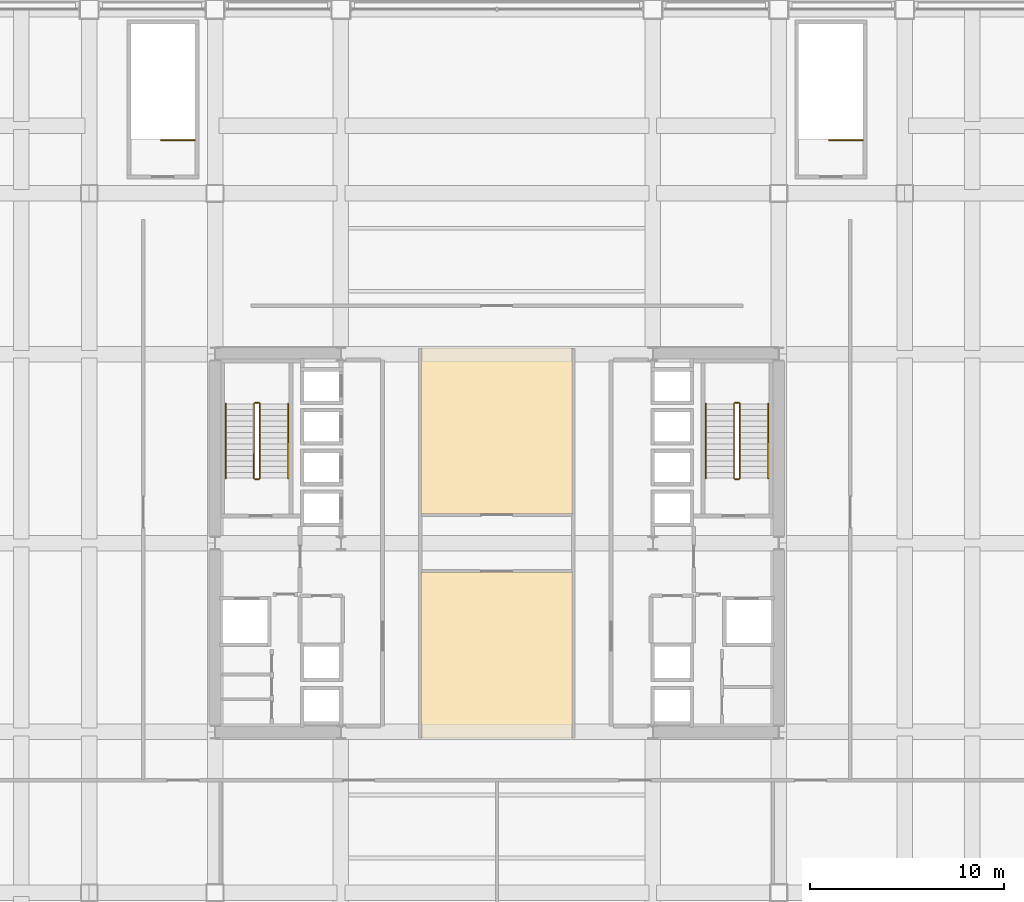
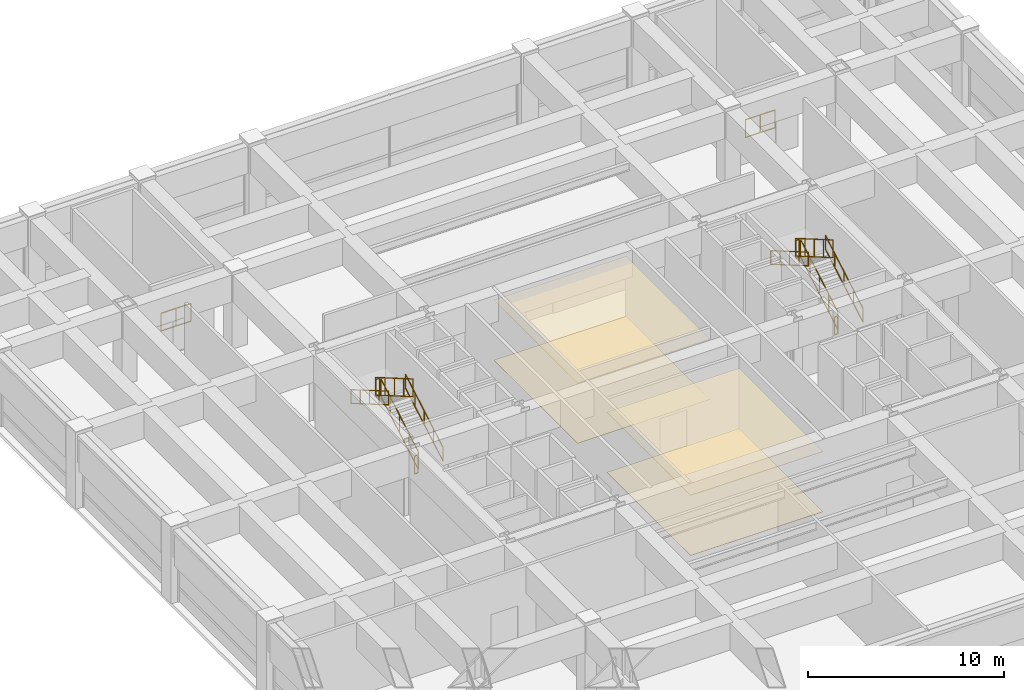
# One storey, part 30 of 30: 14 railings, 4 coverings.
"""IFC4 building model written with IfcOpenShell, lengths in metres."""

from ifc_helpers import new_model, si_unit, direction, frame, origin, origin_2d, place, context, subcontext, project, spatial, polyline, rectangle, outline, extrude, material, layer, layer_set, type_object, element, save


model = new_model("IFC4")

# Units and contexts
model_context = context("Model", 3, precision=1e-05, world=origin(), true_north=direction((0.0, 1.0)))
body_context = subcontext(model_context, "Body", "Model", "MODEL_VIEW")
ifc_project = project(units=[si_unit("LENGTHUNIT", "METRE"), si_unit("AREAUNIT", "SQUARE_METRE"), si_unit("VOLUMEUNIT", "CUBIC_METRE"), si_unit("PLANEANGLEUNIT", "RADIAN"), si_unit("MASSUNIT", "GRAM", prefix="KILO")], contexts=[model_context])

# Site, building, storey
site_placement = place(None, origin())
site = spatial("IfcSite", under=ifc_project, at=site_placement, CompositionType="ELEMENT")
building_placement = place(site_placement, origin())
building = spatial("IfcBuilding", under=site, at=building_placement, Name="Brelmoor Portico Tower", CompositionType="ELEMENT")
storey_placement = place(building_placement, frame((0.0, 0.0, 19.199951171875)))
storey = spatial("IfcBuildingStorey", under=building, at=storey_placement, Name="L04", CompositionType="ELEMENT", Elevation=19.199951171875)

# Coverings
ifc_material_1 = material(Name="Perforated Mineral-Fibre Acoustic Ceiling Tile", Category="gypsum")
ifc_layer_1 = layer(ifc_material_1, 0.02490234375)
ifc_layer_set_1 = layer_set([ifc_layer_1], Name="Perforated Mineral-Fibre Acoustic Ceiling Tile")
covering_type_1 = type_object("IfcCoveringType", Name="CV-CEIL-GYPSUM-25", PredefinedType="CEILING", material=ifc_layer_set_1)
covering_1_placement = place(storey_placement, frame((0.0, 0.0, 3.75)))
element("IfcCovering", 1, at=covering_1_placement, inside=storey, type_object=covering_type_1, Name="L04 Acoustic Suspended Ceiling 01", PredefinedType="CEILING", context=body_context, shape_type="SweptSolid", body=[
    extrude(outline(polyline([(-3.909912109375, 1.489990234375), (-3.909912109375, 10.06005859375), (3.909912109375, 10.06005859375), (3.909912109375, 1.489990234375), (-3.909912109375, 1.489990234375)])), origin(), (0.0, 0.0, 1.0), 0.025146484375),
])
ifc_material_2 = material(Name="Micro-Perforated Aluminium Clip-In Ceiling", Category="aluminium")
ifc_layer_2 = layer(ifc_material_2, 0.031982421875)
ifc_layer_set_2 = layer_set([ifc_layer_2], Name="Micro-Perforated Aluminium Clip-In Ceiling")
covering_type_2 = type_object("IfcCoveringType", Name="CV-CEIL-METAL-32", PredefinedType="CEILING", material=ifc_layer_set_2)
covering_2_placement = place(storey_placement, frame((0.0, 0.0, 3.75)))
element("IfcCovering", 2, at=covering_2_placement, inside=storey, type_object=covering_type_2, Name="L04 Acoustic Suspended Ceiling 02", PredefinedType="CEILING", context=body_context, shape_type="SweptSolid", body=[
    extrude(outline(polyline([(-3.909912109375, -10.06005859375), (-3.909912109375, -1.489990234375), (3.909912109375, -1.489990234375), (3.909912109375, -10.06005859375), (-3.909912109375, -10.06005859375)])), origin(), (0.0, 0.0, 1.0), 0.031982421875),
])
ifc_material_3 = material(Name="Rectified Vitrified Porcelain Floor Tile", Category="ceramic")
ifc_layer_3 = layer(ifc_material_3, 0.01806640625)
ifc_layer_set_3 = layer_set([ifc_layer_3], Name="Rectified Vitrified Porcelain Floor Tile")
covering_type_3 = type_object("IfcCoveringType", Name="CV-FLR-PORCELAIN-18", PredefinedType="FLOORING", material=ifc_layer_set_3)
covering_3_placement = place(storey_placement, origin())
element("IfcCovering", 3, at=covering_3_placement, inside=storey, type_object=covering_type_3, Name="L04 Architectural Floor Finish 01", PredefinedType="FLOORING", context=body_context, shape_type="SweptSolid", body=[
    extrude(outline(polyline([(-3.909912109375, 1.489990234375), (-3.909912109375, 10.06005859375), (3.909912109375, 10.06005859375), (3.909912109375, 1.489990234375), (-3.909912109375, 1.489990234375)])), origin(), (0.0, 0.0, 1.0), 0.01806640625),
])
ifc_material_4 = material(Name="Engineered Quarter-Sawn Oak Parquet Flooring", Category="timber")
ifc_layer_4 = layer(ifc_material_4, 0.02197265625)
ifc_layer_set_4 = layer_set([ifc_layer_4], Name="Engineered Quarter-Sawn Oak Parquet Flooring")
covering_type_4 = type_object("IfcCoveringType", Name="CV-FLR-TIMBER-22", PredefinedType="FLOORING", material=ifc_layer_set_4)
covering_4_placement = place(storey_placement, origin())
element("IfcCovering", 4, at=covering_4_placement, inside=storey, type_object=covering_type_4, Name="L04 Architectural Floor Finish 02", PredefinedType="FLOORING", context=body_context, shape_type="SweptSolid", body=[
    extrude(outline(polyline([(-3.909912109375, -10.06005859375), (-3.909912109375, -1.489990234375), (3.909912109375, -1.489990234375), (3.909912109375, -10.06005859375), (-3.909912109375, -10.06005859375)])), origin(), (0.0, 0.0, 1.0), 0.02197265625),
])

# Railings
ifc_material_5 = material(Name="Painted Tubular Steel Q235B", Category="steel")
railing_type_1 = type_object("IfcRailingType", Name="RL-STAIR-GUARD", PredefinedType="GUARDRAIL", material=ifc_material_5)
railing_1_placement = place(storey_placement, frame((-12.239990234375, 3.35009765625, 0.17138671875)))
element("IfcRailing", 5, at=railing_1_placement, inside=storey, type_object=railing_type_1, Name="L04 ST-W stair guard 1", PredefinedType="GUARDRAIL", context=body_context, shape_type="SweptSolid", body=[
    extrude(rectangle(XDim=0.048095703125, YDim=0.048095703125, at=origin_2d()), frame((0.0, 0.0, 1.1259765625), z_axis=(0.0, 0.864592272851, 0.502474080651), x_axis=(-1.0, 0.0, 0.0)), (0.0, 0.0, 1.0), 4.435546875),
    extrude(rectangle(XDim=0.048095703125, YDim=0.048095703125, at=origin_2d()), frame((0.0, 0.0, 0.02392578125), z_axis=(0.0, 0.864592272851, 0.502474080651), x_axis=(-1.0, 0.0, 0.0)), (0.0, 0.0, 1.0), 4.435546875),
    extrude(rectangle(XDim=0.0419921875, YDim=0.0419921875, at=origin_2d()), origin(), (0.0, 0.0, 1.0), 1.101806640625),
    extrude(rectangle(XDim=0.0419921875, YDim=0.0419921875, at=origin_2d()), frame((0.0, 0.958740234375, 0.55712890625)), (0.0, 0.0, 1.0), 1.101806640625),
    extrude(rectangle(XDim=0.0419921875, YDim=0.0419921875, at=origin_2d()), frame((0.0, 1.91748046875, 1.1142578125)), (0.0, 0.0, 1.0), 1.101806640625),
    extrude(rectangle(XDim=0.0419921875, YDim=0.0419921875, at=origin_2d()), frame((0.0, 2.876220703125, 1.671630859375)), (0.0, 0.0, 1.0), 1.101806640625),
    extrude(rectangle(XDim=0.0419921875, YDim=0.0419921875, at=origin_2d()), frame((0.0, 3.8349609375, 2.228759765625)), (0.0, 0.0, 1.0), 1.101806640625),
])
railing_2_placement = place(storey_placement, frame((-12.2900390625, 7.235107421875, 2.400146484375)))
element("IfcRailing", 6, at=railing_2_placement, inside=storey, type_object=railing_type_1, Name="L04 ST-W stair guard 2", PredefinedType="GUARDRAIL", context=body_context, shape_type="SweptSolid", body=[
    extrude(rectangle(XDim=0.048095703125, YDim=0.048095703125, at=origin_2d()), frame((0.0, 0.0, 1.1259765625), z_axis=(-1.0, 0.0, 0.0), x_axis=(0.0, -1.0, 0.0)), (0.0, 0.0, 1.0), 0.199951171875),
    extrude(rectangle(XDim=0.048095703125, YDim=0.048095703125, at=origin_2d()), frame((0.0, 0.0, 0.02392578125), z_axis=(-1.0, 0.0, 0.0), x_axis=(0.0, -1.0, 0.0)), (0.0, 0.0, 1.0), 0.199951171875),
    extrude(rectangle(XDim=0.0419921875, YDim=0.0419921875, at=origin_2d()), origin(), (0.0, 0.0, 1.0), 1.101806640625),
    extrude(rectangle(XDim=0.0419921875, YDim=0.0419921875, at=origin_2d()), frame((-0.199951171875, 0.0, 0.0)), (0.0, 0.0, 1.0), 1.101806640625),
])
railing_3_placement = place(storey_placement, frame((-12.5400390625, 7.18505859375, 2.571533203125)))
element("IfcRailing", 7, at=railing_3_placement, inside=storey, type_object=railing_type_1, Name="L04 ST-W stair guard 3", PredefinedType="GUARDRAIL", context=body_context, shape_type="SweptSolid", body=[
    extrude(rectangle(XDim=0.048095703125, YDim=0.048095703125, at=origin_2d()), frame((0.0, 0.0, 1.1259765625), z_axis=(0.0, -0.86461618451, 0.502432934314), x_axis=(1.0, 0.0, 0.0)), (0.0, 0.0, 1.0), 4.435546875),
    extrude(rectangle(XDim=0.048095703125, YDim=0.048095703125, at=origin_2d()), frame((0.0, 0.0, 0.02392578125), z_axis=(0.0, -0.86461618451, 0.502432934314), x_axis=(1.0, 0.0, 0.0)), (0.0, 0.0, 1.0), 4.435546875),
    extrude(rectangle(XDim=0.0419921875, YDim=0.0419921875, at=origin_2d()), origin(), (0.0, 0.0, 1.0), 1.101806640625),
    extrude(rectangle(XDim=0.0419921875, YDim=0.0419921875, at=origin_2d()), frame((0.0, -0.958740234375, 0.55712890625)), (0.0, 0.0, 1.0), 1.101806640625),
    extrude(rectangle(XDim=0.0419921875, YDim=0.0419921875, at=origin_2d()), frame((0.0, -1.91748046875, 1.1142578125)), (0.0, 0.0, 1.0), 1.101806640625),
    extrude(rectangle(XDim=0.0419921875, YDim=0.0419921875, at=origin_2d()), frame((0.0, -2.876220703125, 1.67138671875)), (0.0, 0.0, 1.0), 1.101806640625),
    extrude(rectangle(XDim=0.0419921875, YDim=0.0419921875, at=origin_2d()), frame((0.0, -3.8349609375, 2.228515625)), (0.0, 0.0, 1.0), 1.101806640625),
])
railing_4_placement = place(storey_placement, frame((-12.2900390625, 3.300048828125, 0.0)))
element("IfcRailing", 8, at=railing_4_placement, inside=storey, type_object=railing_type_1, Name="L04 ST-W stair guard 4", PredefinedType="GUARDRAIL", context=body_context, shape_type="SweptSolid", body=[
    extrude(rectangle(XDim=0.048095703125, YDim=0.048095703125, at=origin_2d()), frame((0.0, 0.0, 1.1259765625), z_axis=(-1.0, 0.0, 0.0), x_axis=(0.0, -1.0, 0.0)), (0.0, 0.0, 1.0), 0.199951171875),
    extrude(rectangle(XDim=0.048095703125, YDim=0.048095703125, at=origin_2d()), frame((0.0, 0.0, 0.02392578125), z_axis=(-1.0, 0.0, 0.0), x_axis=(0.0, -1.0, 0.0)), (0.0, 0.0, 1.0), 0.199951171875),
    extrude(rectangle(XDim=0.0419921875, YDim=0.0419921875, at=origin_2d()), origin(), (0.0, 0.0, 1.0), 1.101806640625),
    extrude(rectangle(XDim=0.0419921875, YDim=0.0419921875, at=origin_2d()), frame((-0.199951171875, 0.0, 0.0)), (0.0, 0.0, 1.0), 1.101806640625),
])
railing_5_placement = place(storey_placement, frame((12.5400390625, 3.35009765625, 0.17138671875)))
element("IfcRailing", 9, at=railing_5_placement, inside=storey, type_object=railing_type_1, Name="L04 ST-E stair guard 1", PredefinedType="GUARDRAIL", context=body_context, shape_type="SweptSolid", body=[
    extrude(rectangle(XDim=0.048095703125, YDim=0.048095703125, at=origin_2d()), frame((0.0, 0.0, 1.1259765625), z_axis=(0.0, 0.864592272851, 0.502474080651), x_axis=(-1.0, 0.0, 0.0)), (0.0, 0.0, 1.0), 4.435546875),
    extrude(rectangle(XDim=0.048095703125, YDim=0.048095703125, at=origin_2d()), frame((0.0, 0.0, 0.02392578125), z_axis=(0.0, 0.864592272851, 0.502474080651), x_axis=(-1.0, 0.0, 0.0)), (0.0, 0.0, 1.0), 4.435546875),
    extrude(rectangle(XDim=0.0419921875, YDim=0.0419921875, at=origin_2d()), origin(), (0.0, 0.0, 1.0), 1.101806640625),
    extrude(rectangle(XDim=0.0419921875, YDim=0.0419921875, at=origin_2d()), frame((0.0, 0.958740234375, 0.55712890625)), (0.0, 0.0, 1.0), 1.101806640625),
    extrude(rectangle(XDim=0.0419921875, YDim=0.0419921875, at=origin_2d()), frame((0.0, 1.91748046875, 1.1142578125)), (0.0, 0.0, 1.0), 1.101806640625),
    extrude(rectangle(XDim=0.0419921875, YDim=0.0419921875, at=origin_2d()), frame((0.0, 2.876220703125, 1.671630859375)), (0.0, 0.0, 1.0), 1.101806640625),
    extrude(rectangle(XDim=0.0419921875, YDim=0.0419921875, at=origin_2d()), frame((0.0, 3.8349609375, 2.228759765625)), (0.0, 0.0, 1.0), 1.101806640625),
])
railing_6_placement = place(storey_placement, frame((12.489990234375, 7.235107421875, 2.400146484375)))
element("IfcRailing", 10, at=railing_6_placement, inside=storey, type_object=railing_type_1, Name="L04 ST-E stair guard 2", PredefinedType="GUARDRAIL", context=body_context, shape_type="SweptSolid", body=[
    extrude(rectangle(XDim=0.048095703125, YDim=0.048095703125, at=origin_2d()), frame((0.0, 0.0, 1.1259765625), z_axis=(-1.0, 0.0, 0.0), x_axis=(0.0, -1.0, 0.0)), (0.0, 0.0, 1.0), 0.199951171875),
    extrude(rectangle(XDim=0.048095703125, YDim=0.048095703125, at=origin_2d()), frame((0.0, 0.0, 0.02392578125), z_axis=(-1.0, 0.0, 0.0), x_axis=(0.0, -1.0, 0.0)), (0.0, 0.0, 1.0), 0.199951171875),
    extrude(rectangle(XDim=0.0419921875, YDim=0.0419921875, at=origin_2d()), origin(), (0.0, 0.0, 1.0), 1.101806640625),
    extrude(rectangle(XDim=0.0419921875, YDim=0.0419921875, at=origin_2d()), frame((-0.199951171875, 0.0, 0.0)), (0.0, 0.0, 1.0), 1.101806640625),
])
railing_7_placement = place(storey_placement, frame((12.239990234375, 7.18505859375, 2.571533203125)))
element("IfcRailing", 11, at=railing_7_placement, inside=storey, type_object=railing_type_1, Name="L04 ST-E stair guard 3", PredefinedType="GUARDRAIL", context=body_context, shape_type="SweptSolid", body=[
    extrude(rectangle(XDim=0.048095703125, YDim=0.048095703125, at=origin_2d()), frame((0.0, 0.0, 1.1259765625), z_axis=(0.0, -0.86461618451, 0.502432934314), x_axis=(1.0, 0.0, 0.0)), (0.0, 0.0, 1.0), 4.435546875),
    extrude(rectangle(XDim=0.048095703125, YDim=0.048095703125, at=origin_2d()), frame((0.0, 0.0, 0.02392578125), z_axis=(0.0, -0.86461618451, 0.502432934314), x_axis=(1.0, 0.0, 0.0)), (0.0, 0.0, 1.0), 4.435546875),
    extrude(rectangle(XDim=0.0419921875, YDim=0.0419921875, at=origin_2d()), origin(), (0.0, 0.0, 1.0), 1.101806640625),
    extrude(rectangle(XDim=0.0419921875, YDim=0.0419921875, at=origin_2d()), frame((0.0, -0.958740234375, 0.55712890625)), (0.0, 0.0, 1.0), 1.101806640625),
    extrude(rectangle(XDim=0.0419921875, YDim=0.0419921875, at=origin_2d()), frame((0.0, -1.91748046875, 1.1142578125)), (0.0, 0.0, 1.0), 1.101806640625),
    extrude(rectangle(XDim=0.0419921875, YDim=0.0419921875, at=origin_2d()), frame((0.0, -2.876220703125, 1.67138671875)), (0.0, 0.0, 1.0), 1.101806640625),
    extrude(rectangle(XDim=0.0419921875, YDim=0.0419921875, at=origin_2d()), frame((0.0, -3.8349609375, 2.228515625)), (0.0, 0.0, 1.0), 1.101806640625),
])
railing_8_placement = place(storey_placement, frame((12.489990234375, 3.300048828125, 0.0)))
element("IfcRailing", 12, at=railing_8_placement, inside=storey, type_object=railing_type_1, Name="L04 ST-E stair guard 4", PredefinedType="GUARDRAIL", context=body_context, shape_type="SweptSolid", body=[
    extrude(rectangle(XDim=0.048095703125, YDim=0.048095703125, at=origin_2d()), frame((0.0, 0.0, 1.1259765625), z_axis=(-1.0, 0.0, 0.0), x_axis=(0.0, -1.0, 0.0)), (0.0, 0.0, 1.0), 0.199951171875),
    extrude(rectangle(XDim=0.048095703125, YDim=0.048095703125, at=origin_2d()), frame((0.0, 0.0, 0.02392578125), z_axis=(-1.0, 0.0, 0.0), x_axis=(0.0, -1.0, 0.0)), (0.0, 0.0, 1.0), 0.199951171875),
    extrude(rectangle(XDim=0.0419921875, YDim=0.0419921875, at=origin_2d()), origin(), (0.0, 0.0, 1.0), 1.101806640625),
    extrude(rectangle(XDim=0.0419921875, YDim=0.0419921875, at=origin_2d()), frame((-0.199951171875, 0.0, 0.0)), (0.0, 0.0, 1.0), 1.101806640625),
])
for number, where, name in (
    (13, (-15.580078125, 20.800048828125, 0.0), "L04 ST-P1 top well guard 1"),
    (14, (18.89990234375, 20.800048828125, 0.0), "L04 ST-P2 top well guard 1"),
):
    element("IfcRailing", number, at=place(storey_placement, frame(where)), inside=storey, type_object=railing_type_1, Name=name, PredefinedType="GUARDRAIL", context=body_context, shape_type="SweptSolid", body=[
        extrude(rectangle(XDim=0.048095703125, YDim=0.048095703125, at=origin_2d()), frame((0.0, 0.0, 1.1259765625), z_axis=(-1.0, 0.0, 0.0), x_axis=(0.0, -1.0, 0.0)), (0.0, 0.0, 1.0), 1.760009765625),
        extrude(rectangle(XDim=0.048095703125, YDim=0.048095703125, at=origin_2d()), frame((0.0, 0.0, 0.02392578125), z_axis=(-1.0, 0.0, 0.0), x_axis=(0.0, -1.0, 0.0)), (0.0, 0.0, 1.0), 1.760009765625),
        extrude(rectangle(XDim=0.0419921875, YDim=0.0419921875, at=origin_2d()), origin(), (0.0, 0.0, 1.0), 1.101806640625),
        extrude(rectangle(XDim=0.0419921875, YDim=0.0419921875, at=origin_2d()), frame((-0.8798828125, 0.0, 0.0)), (0.0, 0.0, 1.0), 1.101806640625),
        extrude(rectangle(XDim=0.0419921875, YDim=0.0419921875, at=origin_2d()), frame((-1.760009765625, 0.0, 0.0)), (0.0, 0.0, 1.0), 1.101806640625),
    ])
ifc_material_6 = material(Name="Brushed Stainless Steel 304", Category="steel")
railing_type_2 = type_object("IfcRailingType", Name="RL-STAIR-HANDRAIL", PredefinedType="HANDRAIL", material=ifc_material_6)
railing_9_placement = place(storey_placement, frame((-10.780029296875, 3.35009765625, 0.17138671875)))
element("IfcRailing", 15, at=railing_9_placement, inside=storey, type_object=railing_type_2, Name="L04 ST-W stair handrail 1", PredefinedType="HANDRAIL", context=body_context, shape_type="SweptSolid", body=[
    extrude(rectangle(XDim=0.048095703125, YDim=0.048095703125, at=origin_2d()), frame((0.0, 0.0, 0.8759765625), z_axis=(0.0, 0.864592272851, 0.502474080651), x_axis=(-1.0, 0.0, 0.0)), (0.0, 0.0, 1.0), 4.435546875),
    extrude(rectangle(XDim=0.048095703125, YDim=0.048095703125, at=origin_2d()), frame((0.0, 0.0, 0.02392578125), z_axis=(0.0, 0.864592272851, 0.502474080651), x_axis=(-1.0, 0.0, 0.0)), (0.0, 0.0, 1.0), 4.435546875),
    extrude(rectangle(XDim=0.0419921875, YDim=0.0419921875, at=origin_2d()), origin(), (0.0, 0.0, 1.0), 0.851806640625),
    extrude(rectangle(XDim=0.0419921875, YDim=0.0419921875, at=origin_2d()), frame((0.0, 0.958740234375, 0.55712890625)), (0.0, 0.0, 1.0), 0.851806640625),
    extrude(rectangle(XDim=0.0419921875, YDim=0.0419921875, at=origin_2d()), frame((0.0, 1.91748046875, 1.1142578125)), (0.0, 0.0, 1.0), 0.851806640625),
    extrude(rectangle(XDim=0.0419921875, YDim=0.0419921875, at=origin_2d()), frame((0.0, 2.876220703125, 1.671630859375)), (0.0, 0.0, 1.0), 0.851806640625),
    extrude(rectangle(XDim=0.0419921875, YDim=0.0419921875, at=origin_2d()), frame((0.0, 3.8349609375, 2.228759765625)), (0.0, 0.0, 1.0), 0.851806640625),
])
railing_10_placement = place(storey_placement, frame((-14.0, 7.18505859375, 2.571533203125)))
element("IfcRailing", 16, at=railing_10_placement, inside=storey, type_object=railing_type_2, Name="L04 ST-W stair handrail 2", PredefinedType="HANDRAIL", context=body_context, shape_type="SweptSolid", body=[
    extrude(rectangle(XDim=0.048095703125, YDim=0.048095703125, at=origin_2d()), frame((0.0, 0.0, 0.8759765625), z_axis=(0.0, -0.86461618451, 0.502432934314), x_axis=(1.0, 0.0, 0.0)), (0.0, 0.0, 1.0), 4.435546875),
    extrude(rectangle(XDim=0.048095703125, YDim=0.048095703125, at=origin_2d()), frame((0.0, 0.0, 0.02392578125), z_axis=(0.0, -0.86461618451, 0.502432934314), x_axis=(1.0, 0.0, 0.0)), (0.0, 0.0, 1.0), 4.435546875),
    extrude(rectangle(XDim=0.0419921875, YDim=0.0419921875, at=origin_2d()), origin(), (0.0, 0.0, 1.0), 0.851806640625),
    extrude(rectangle(XDim=0.0419921875, YDim=0.0419921875, at=origin_2d()), frame((0.0, -0.958740234375, 0.55712890625)), (0.0, 0.0, 1.0), 0.851806640625),
    extrude(rectangle(XDim=0.0419921875, YDim=0.0419921875, at=origin_2d()), frame((0.0, -1.91748046875, 1.1142578125)), (0.0, 0.0, 1.0), 0.851806640625),
    extrude(rectangle(XDim=0.0419921875, YDim=0.0419921875, at=origin_2d()), frame((0.0, -2.876220703125, 1.67138671875)), (0.0, 0.0, 1.0), 0.851806640625),
    extrude(rectangle(XDim=0.0419921875, YDim=0.0419921875, at=origin_2d()), frame((0.0, -3.8349609375, 2.228515625)), (0.0, 0.0, 1.0), 0.851806640625),
])
railing_11_placement = place(storey_placement, frame((14.0, 3.35009765625, 0.17138671875)))
element("IfcRailing", 17, at=railing_11_placement, inside=storey, type_object=railing_type_2, Name="L04 ST-E stair handrail 1", PredefinedType="HANDRAIL", context=body_context, shape_type="SweptSolid", body=[
    extrude(rectangle(XDim=0.048095703125, YDim=0.048095703125, at=origin_2d()), frame((0.0, 0.0, 0.8759765625), z_axis=(0.0, 0.864592272851, 0.502474080651), x_axis=(-1.0, 0.0, 0.0)), (0.0, 0.0, 1.0), 4.435546875),
    extrude(rectangle(XDim=0.048095703125, YDim=0.048095703125, at=origin_2d()), frame((0.0, 0.0, 0.02392578125), z_axis=(0.0, 0.864592272851, 0.502474080651), x_axis=(-1.0, 0.0, 0.0)), (0.0, 0.0, 1.0), 4.435546875),
    extrude(rectangle(XDim=0.0419921875, YDim=0.0419921875, at=origin_2d()), origin(), (0.0, 0.0, 1.0), 0.851806640625),
    extrude(rectangle(XDim=0.0419921875, YDim=0.0419921875, at=origin_2d()), frame((0.0, 0.958740234375, 0.55712890625)), (0.0, 0.0, 1.0), 0.851806640625),
    extrude(rectangle(XDim=0.0419921875, YDim=0.0419921875, at=origin_2d()), frame((0.0, 1.91748046875, 1.1142578125)), (0.0, 0.0, 1.0), 0.851806640625),
    extrude(rectangle(XDim=0.0419921875, YDim=0.0419921875, at=origin_2d()), frame((0.0, 2.876220703125, 1.671630859375)), (0.0, 0.0, 1.0), 0.851806640625),
    extrude(rectangle(XDim=0.0419921875, YDim=0.0419921875, at=origin_2d()), frame((0.0, 3.8349609375, 2.228759765625)), (0.0, 0.0, 1.0), 0.851806640625),
])
railing_12_placement = place(storey_placement, frame((10.780029296875, 7.18505859375, 2.571533203125)))
element("IfcRailing", 18, at=railing_12_placement, inside=storey, type_object=railing_type_2, Name="L04 ST-E stair handrail 2", PredefinedType="HANDRAIL", context=body_context, shape_type="SweptSolid", body=[
    extrude(rectangle(XDim=0.048095703125, YDim=0.048095703125, at=origin_2d()), frame((0.0, 0.0, 0.8759765625), z_axis=(0.0, -0.86461618451, 0.502432934314), x_axis=(1.0, 0.0, 0.0)), (0.0, 0.0, 1.0), 4.435546875),
    extrude(rectangle(XDim=0.048095703125, YDim=0.048095703125, at=origin_2d()), frame((0.0, 0.0, 0.02392578125), z_axis=(0.0, -0.86461618451, 0.502432934314), x_axis=(1.0, 0.0, 0.0)), (0.0, 0.0, 1.0), 4.435546875),
    extrude(rectangle(XDim=0.0419921875, YDim=0.0419921875, at=origin_2d()), origin(), (0.0, 0.0, 1.0), 0.851806640625),
    extrude(rectangle(XDim=0.0419921875, YDim=0.0419921875, at=origin_2d()), frame((0.0, -0.958740234375, 0.55712890625)), (0.0, 0.0, 1.0), 0.851806640625),
    extrude(rectangle(XDim=0.0419921875, YDim=0.0419921875, at=origin_2d()), frame((0.0, -1.91748046875, 1.1142578125)), (0.0, 0.0, 1.0), 0.851806640625),
    extrude(rectangle(XDim=0.0419921875, YDim=0.0419921875, at=origin_2d()), frame((0.0, -2.876220703125, 1.67138671875)), (0.0, 0.0, 1.0), 0.851806640625),
    extrude(rectangle(XDim=0.0419921875, YDim=0.0419921875, at=origin_2d()), frame((0.0, -3.8349609375, 2.228515625)), (0.0, 0.0, 1.0), 0.851806640625),
])

save(model, "model.ifc")
